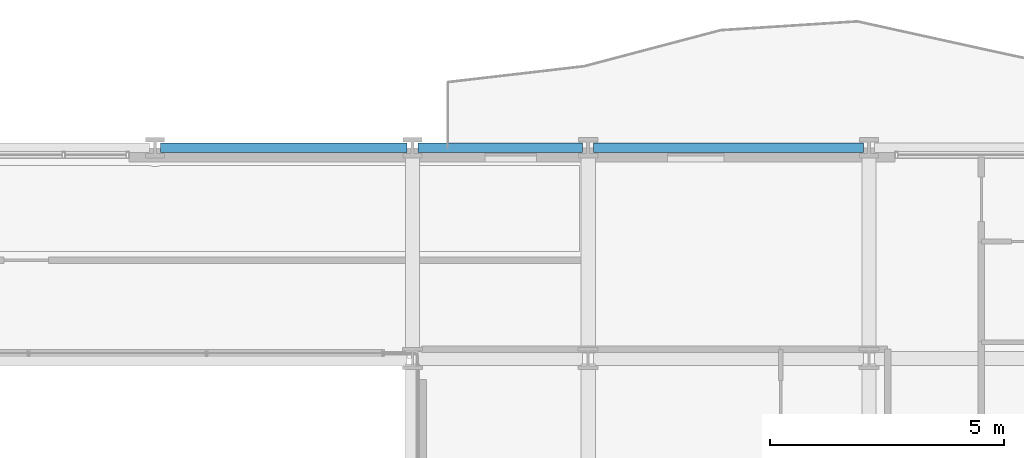
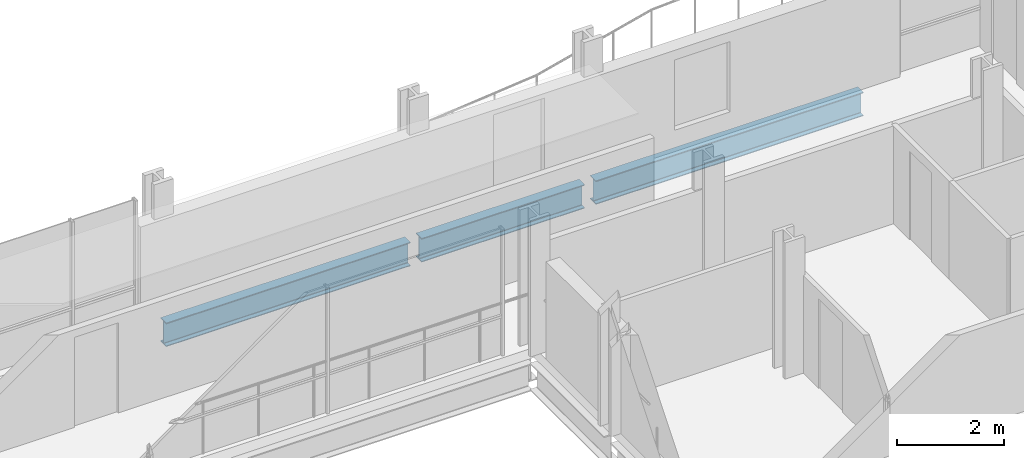
# One storey, part 23 of 40: 3 beams.
"""IFC4 building model written with IfcOpenShell, lengths in metres."""

import ifcopenshell
import ifcopenshell.guid

model = None  # the IFC model being written
_history = None  # IfcOwnerHistory: only IFC2X3 demands one
_inside = {}  # id of a spatial element -> (the spatial element, [elements in it])
_under = {}  # id of a project, library or spatial element -> (it, [spatial elements below it])
_declared = {}  # id of a project -> (the project, [libraries it declares])
_typed = {}  # id of a type object -> (the type object, [elements of that type])
_made_of = {}  # id of a material, layer set ... -> (it, [elements and type objects made of it])


def new_model(schema):
    """Start an empty IFC model of exactly this schema.

    Asked for "IFC4X3", IfcOpenShell would pick the latest addendum, in which some entities
    have other attributes; the version numbers below select the first issue.
    IFC2X3 requires an IfcOwnerHistory on every rooted entity: one is made here for all.
    """
    global model, _history
    if schema == "IFC4X3":
        model = ifcopenshell.file(schema_version=(4, 3, 0, 0))
    else:
        model = ifcopenshell.file(schema=schema)
    _inside.clear()
    _under.clear()
    _declared.clear()
    _typed.clear()
    _made_of.clear()
    _history = None
    if model.schema == "IFC2X3":
        org = make("IfcOrganization", Name="unknown")
        user = make(
            "IfcPersonAndOrganization",
            ThePerson=make("IfcPerson", FamilyName="unknown"),
            TheOrganization=org,
        )
        app = make(
            "IfcApplication",
            ApplicationDeveloper=org,
            Version="unknown",
            ApplicationFullName="unknown",
            ApplicationIdentifier="unknown",
        )
        _history = make(
            "IfcOwnerHistory",
            OwningUser=user,
            OwningApplication=app,
            ChangeAction="ADDED",
            CreationDate=0,
        )
    return model


def make(cls, **values):
    """One entity of the class cls with the attributes given. An attribute that is None is left unset."""
    return model.create_entity(
        cls, **{name: value for name, value in values.items() if value is not None}
    )


def rooted(cls, **values):
    """An entity with a GlobalId (a new one), such as an element, a storey or a relation."""
    return make(cls, GlobalId=ifcopenshell.guid.new(), OwnerHistory=_history, **values)


def si_unit(unit_type, name, prefix=None):
    """IfcSIUnit, for example si_unit("LENGTHUNIT", "METRE", prefix="MILLI")."""
    return make("IfcSIUnit", UnitType=unit_type, Prefix=prefix, Name=name)


def assignment(units):
    """IfcUnitAssignment: the units of a project."""
    return None if units is None else make("IfcUnitAssignment", Units=units)


def point(xyz):
    """IfcCartesianPoint."""
    return None if xyz is None else make("IfcCartesianPoint", Coordinates=xyz)


def direction(xyz):
    """IfcDirection."""
    return None if xyz is None else make("IfcDirection", DirectionRatios=xyz)


def frame(location, z_axis=None, x_axis=None):
    """IfcAxis2Placement3D, a coordinate frame: its origin and axes. An axis left out is left unset."""
    return make(
        "IfcAxis2Placement3D",
        Location=point(location),
        Axis=direction(z_axis),
        RefDirection=direction(x_axis),
    )


def frame_2d(location, x_axis=None):
    """IfcAxis2Placement2D, a coordinate frame in the plane: its origin and x axis."""
    return make(
        "IfcAxis2Placement2D", Location=point(location), RefDirection=direction(x_axis)
    )


def origin():
    """The frame at (0, 0, 0) with its axes left unset."""
    return frame((0.0, 0.0, 0.0))


def origin_2d():
    """The frame at (0, 0) in the plane with its x axis left unset."""
    return frame_2d((0.0, 0.0))


def place(relative_to, where):
    """IfcLocalPlacement: puts the frame where relative to a parent placement (None: the world)."""
    return make(
        "IfcLocalPlacement", PlacementRelTo=relative_to, RelativePlacement=where
    )


def context(
    kind, dimensions, precision=None, world=None, true_north=None, identifier=None
):
    """IfcGeometricRepresentationContext, for example the 3D "Model" context."""
    return make(
        "IfcGeometricRepresentationContext",
        ContextIdentifier=identifier,
        ContextType=kind,
        CoordinateSpaceDimension=dimensions,
        Precision=precision,
        WorldCoordinateSystem=world,
        TrueNorth=true_north,
    )


def subcontext(parent, identifier, kind, view, scale=None):
    """IfcGeometricRepresentationSubContext, for example "Body" below "Model"."""
    return make(
        "IfcGeometricRepresentationSubContext",
        ContextIdentifier=identifier,
        ContextType=kind,
        ParentContext=parent,
        TargetScale=scale,
        TargetView=view,
    )


def project(units=None, contexts=None):
    """IfcProject with its units and contexts."""
    return rooted(
        "IfcProject",
        Name="project",
        RepresentationContexts=contexts,
        UnitsInContext=assignment(units),
    )


def spatial(cls, under=None, at=None, **own):
    """A site, building, storey or space (cls), placed at a placement, below another one or the project."""
    s = rooted(cls, ObjectPlacement=at, **own)
    if under is not None:
        _under.setdefault(under.id(), (under, []))[1].append(s)
    return s


def profile(cls, at=None, kind="AREA", **sizes):
    """A parametric profile (cls). Its sizes go by their IFC names, for example OverallWidth=200.0."""
    return make(cls, ProfileType=kind, Position=at, **sizes)


def i_section(**sizes):
    """IfcIShapeProfileDef."""
    return profile("IfcIShapeProfileDef", **sizes)


def extrude(swept, where, along, depth):
    """IfcExtrudedAreaSolid: the profile swept, set in the frame where, extruded along a direction by depth."""
    return make(
        "IfcExtrudedAreaSolid",
        SweptArea=swept,
        Position=where,
        ExtrudedDirection=direction(along),
        Depth=depth,
    )


def shape(context_of_items, identifier, shape_type, items):
    """IfcShapeRepresentation: the items that make up one representation, for example the "Body"."""
    return make(
        "IfcShapeRepresentation",
        ContextOfItems=context_of_items,
        RepresentationIdentifier=identifier,
        RepresentationType=shape_type,
        Items=items,
    )


def material(Name=None, Category=None):
    """IfcMaterial."""
    return make("IfcMaterial", Name=Name, Category=Category)


def material_profile(
    of_material, cross_section, Name=None, Category=None, Priority=None
):
    """IfcMaterialProfile: a cross section and its material."""
    return make(
        "IfcMaterialProfile",
        Name=Name,
        Material=of_material,
        Profile=cross_section,
        Priority=Priority,
        Category=Category,
    )


def profile_set(profiles, Name=None, composite=None):
    """IfcMaterialProfileSet."""
    return make(
        "IfcMaterialProfileSet",
        Name=Name,
        MaterialProfiles=profiles,
        CompositeProfile=composite,
    )


def made_of(thing, what):
    """Note that an element or type object is made of a material, layer set ...; save() writes the relation."""
    if what is not None:
        _made_of.setdefault(what.id(), (what, []))[1].append(thing)
    return thing


def type_object(cls, material=None, **own):
    """A type object (cls), such as IfcWallType, which elements share."""
    return made_of(rooted(cls, **own), material)


def element(
    cls,
    number,
    at=None,
    inside=None,
    cuts=None,
    type_object=None,
    material=None,
    context=None,
    identifier="Body",
    shape_type=None,
    held_by="IfcProductDefinitionShape",
    body=None,
    shapes=None,
    **own,
):
    """One element of the class cls, such as IfcWall. Its Tag is "e" and its number.

    at: its placement. inside: the storey or other place that contains it. cuts: it is an
    opening in that element (IfcRelVoidsElement). A single representation is given by context,
    identifier, shape_type and body (its items); several are given by shapes. held_by: the class
    of the entity that holds the representations. save() writes the other relations.
    """
    e = rooted(cls, Tag="e%d" % number, ObjectPlacement=at, **own)
    if body is not None:
        shapes = [shape(context, identifier, shape_type, body)]
    if shapes is not None:
        e.Representation = make(held_by, Representations=shapes)
    if inside is not None:
        _inside.setdefault(inside.id(), (inside, []))[1].append(e)
    if cuts is not None:
        rooted(
            "IfcRelVoidsElement", RelatingBuildingElement=cuts, RelatedOpeningElement=e
        )
    if type_object is not None:
        _typed.setdefault(type_object.id(), (type_object, []))[1].append(e)
    return made_of(e, material)


def aggregate(whole, parts):
    """IfcRelAggregates: a whole, such as a stair, and the parts it consists of."""
    return rooted("IfcRelAggregates", RelatingObject=whole, RelatedObjects=parts)


def save(model, path):
    """Write the relations noted so far, then the file.

    IfcRelAggregates (storeys below a building ...), IfcRelContainedInSpatialStructure (elements
    in a storey), IfcRelDefinesByType, IfcRelAssociatesMaterial and IfcRelDeclares: one each for
    every whole, place, type object, material and project.
    """
    for whole, parts in _under.values():
        aggregate(whole, parts)
    for where, things in _inside.values():
        rooted(
            "IfcRelContainedInSpatialStructure",
            RelatedElements=things,
            RelatingStructure=where,
        )
    for kind, things in _typed.values():
        rooted("IfcRelDefinesByType", RelatedObjects=things, RelatingType=kind)
    for what, things in _made_of.values():
        rooted("IfcRelAssociatesMaterial", RelatedObjects=things, RelatingMaterial=what)
    for by, libraries in _declared.values():
        rooted("IfcRelDeclares", RelatingContext=by, RelatedDefinitions=libraries)
    model.write(path)


model = new_model("IFC4")

# Units and contexts
model_context = context("Model", 3, precision=1e-05, world=origin(), true_north=direction((0.0, 1.0)))
body_context = subcontext(model_context, "Body", "Model", "MODEL_VIEW")
ifc_project = project(units=[si_unit("LENGTHUNIT", "METRE"), si_unit("AREAUNIT", "SQUARE_METRE"), si_unit("VOLUMEUNIT", "CUBIC_METRE"), si_unit("PLANEANGLEUNIT", "RADIAN"), si_unit("MASSUNIT", "GRAM", prefix="KILO")], contexts=[model_context])

# Site, building, storey
site_placement = place(None, origin())
site = spatial("IfcSite", under=ifc_project, at=site_placement, CompositionType="ELEMENT")
building_placement = place(site_placement, origin())
building = spatial("IfcBuilding", under=site, at=building_placement, Name="Brevholm Reach", CompositionType="ELEMENT")
storey_placement = place(building_placement, frame((0.0, 0.0, 37.300048828125)))
storey = spatial("IfcBuildingStorey", under=building, at=storey_placement, Name="L09", CompositionType="ELEMENT", Elevation=37.300048828125)

# Beams
ifc_material = material(Name="Structural Steel S355J2", Category="steel")
ifc_material_profile = material_profile(ifc_material, i_section(OverallWidth=0.210693359375, OverallDepth=0.53955078125, WebThickness=0.01171875, FlangeThickness=0.018798828125, FilletRadius=0.0126953125, at=origin_2d()), Name="UKB 533x210x109")
ifc_profile_set = profile_set([ifc_material_profile], Name="Structural Steel S355J2")
beam_type = type_object("IfcBeamType", Name="BM-SP539", PredefinedType="SPANDREL", material=ifc_profile_set)
beam_1_placement = place(storey_placement, frame((32.8701171875, 31.0, -0.499755859375), z_axis=(1.0, 0.0, 0.0), x_axis=(0.0, 1.0, 0.0)))
element("IfcBeam", 1, at=beam_1_placement, inside=storey, type_object=beam_type, Name="L09 SP-01B Framing Beam", PredefinedType="SPANDREL", context=body_context, shape_type="SweptSolid", body=[
    extrude(i_section(OverallWidth=0.210693359375, OverallDepth=0.53955078125, WebThickness=0.01171875, FlangeThickness=0.018798828125, FilletRadius=0.0126953125, at=origin_2d()), origin(), (0.0, 0.0, 1.0), 5.259765625),
])
beam_2_placement = place(storey_placement, frame((38.3701171875, 31.0, -0.499755859375), z_axis=(1.0, 0.0, 0.0), x_axis=(0.0, 1.0, 0.0)))
element("IfcBeam", 2, at=beam_2_placement, inside=storey, type_object=beam_type, Name="L09 SP-01B Framing Beam", PredefinedType="SPANDREL", context=body_context, shape_type="SweptSolid", body=[
    extrude(i_section(OverallWidth=0.210693359375, OverallDepth=0.53955078125, WebThickness=0.01171875, FlangeThickness=0.018798828125, FilletRadius=0.0126953125, at=origin_2d()), origin(), (0.0, 0.0, 1.0), 3.509765625),
])
beam_3_placement = place(storey_placement, frame((42.1201171875, 31.0, -0.499755859375), z_axis=(1.0, 0.0, 0.0), x_axis=(0.0, 1.0, 0.0)))
element("IfcBeam", 3, at=beam_3_placement, inside=storey, type_object=beam_type, Name="L09 SP-01B Framing Beam", PredefinedType="SPANDREL", context=body_context, shape_type="SweptSolid", body=[
    extrude(i_section(OverallWidth=0.210693359375, OverallDepth=0.53955078125, WebThickness=0.01171875, FlangeThickness=0.018798828125, FilletRadius=0.0126953125, at=origin_2d()), origin(), (0.0, 0.0, 1.0), 5.759765625),
])

save(model, "model.ifc")
